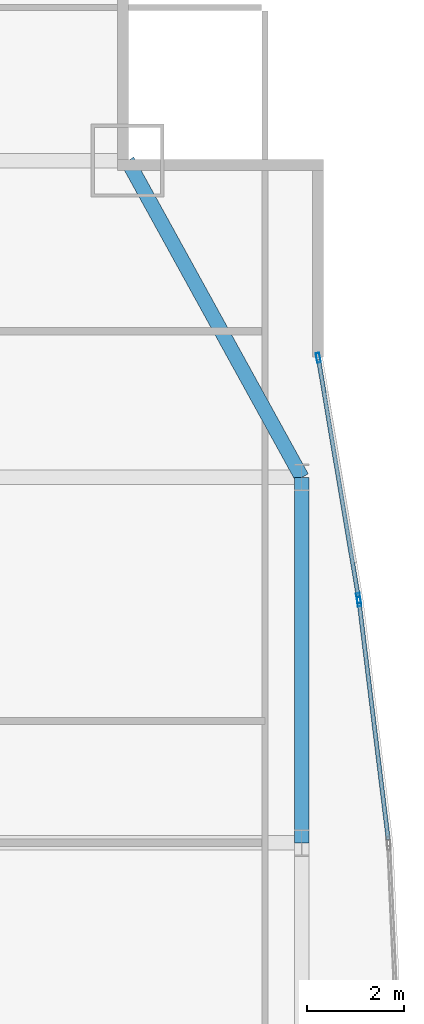
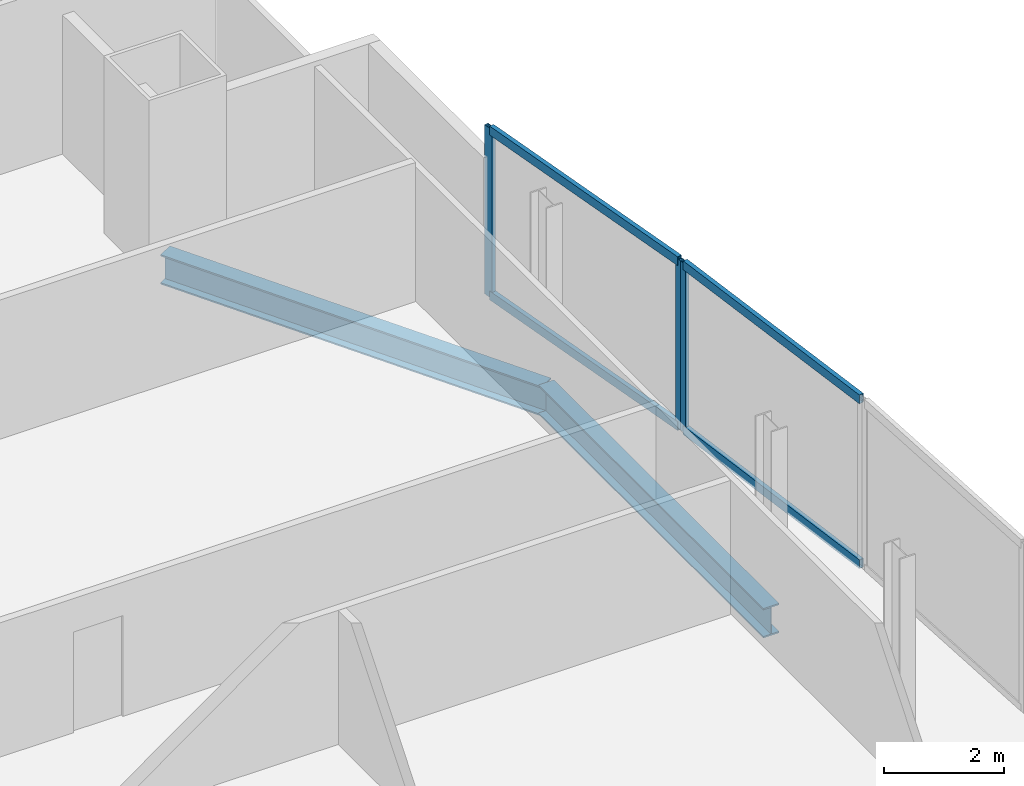
# One storey, part 23 of 31: 7 members, 2 beams, 2 elements without a shape of their own.
"""IFC4 building model written with IfcOpenShell, lengths in metres."""

import ifcopenshell
import ifcopenshell.guid

model = None  # the IFC model being written
_history = None  # IfcOwnerHistory: only IFC2X3 demands one
_inside = {}  # id of a spatial element -> (the spatial element, [elements in it])
_under = {}  # id of a project, library or spatial element -> (it, [spatial elements below it])
_declared = {}  # id of a project -> (the project, [libraries it declares])
_typed = {}  # id of a type object -> (the type object, [elements of that type])
_made_of = {}  # id of a material, layer set ... -> (it, [elements and type objects made of it])


def new_model(schema):
    """Start an empty IFC model of exactly this schema.

    Asked for "IFC4X3", IfcOpenShell would pick the latest addendum, in which some entities
    have other attributes; the version numbers below select the first issue.
    IFC2X3 requires an IfcOwnerHistory on every rooted entity: one is made here for all.
    """
    global model, _history
    if schema == "IFC4X3":
        model = ifcopenshell.file(schema_version=(4, 3, 0, 0))
    else:
        model = ifcopenshell.file(schema=schema)
    _inside.clear()
    _under.clear()
    _declared.clear()
    _typed.clear()
    _made_of.clear()
    _history = None
    if model.schema == "IFC2X3":
        org = make("IfcOrganization", Name="unknown")
        user = make(
            "IfcPersonAndOrganization",
            ThePerson=make("IfcPerson", FamilyName="unknown"),
            TheOrganization=org,
        )
        app = make(
            "IfcApplication",
            ApplicationDeveloper=org,
            Version="unknown",
            ApplicationFullName="unknown",
            ApplicationIdentifier="unknown",
        )
        _history = make(
            "IfcOwnerHistory",
            OwningUser=user,
            OwningApplication=app,
            ChangeAction="ADDED",
            CreationDate=0,
        )
    return model


def make(cls, **values):
    """One entity of the class cls with the attributes given. An attribute that is None is left unset."""
    return model.create_entity(
        cls, **{name: value for name, value in values.items() if value is not None}
    )


def rooted(cls, **values):
    """An entity with a GlobalId (a new one), such as an element, a storey or a relation."""
    return make(cls, GlobalId=ifcopenshell.guid.new(), OwnerHistory=_history, **values)


def si_unit(unit_type, name, prefix=None):
    """IfcSIUnit, for example si_unit("LENGTHUNIT", "METRE", prefix="MILLI")."""
    return make("IfcSIUnit", UnitType=unit_type, Prefix=prefix, Name=name)


def assignment(units):
    """IfcUnitAssignment: the units of a project."""
    return None if units is None else make("IfcUnitAssignment", Units=units)


def point(xyz):
    """IfcCartesianPoint."""
    return None if xyz is None else make("IfcCartesianPoint", Coordinates=xyz)


def direction(xyz):
    """IfcDirection."""
    return None if xyz is None else make("IfcDirection", DirectionRatios=xyz)


def frame(location, z_axis=None, x_axis=None):
    """IfcAxis2Placement3D, a coordinate frame: its origin and axes. An axis left out is left unset."""
    return make(
        "IfcAxis2Placement3D",
        Location=point(location),
        Axis=direction(z_axis),
        RefDirection=direction(x_axis),
    )


def frame_2d(location, x_axis=None):
    """IfcAxis2Placement2D, a coordinate frame in the plane: its origin and x axis."""
    return make(
        "IfcAxis2Placement2D", Location=point(location), RefDirection=direction(x_axis)
    )


def origin():
    """The frame at (0, 0, 0) with its axes left unset."""
    return frame((0.0, 0.0, 0.0))


def origin_2d():
    """The frame at (0, 0) in the plane with its x axis left unset."""
    return frame_2d((0.0, 0.0))


def place(relative_to, where):
    """IfcLocalPlacement: puts the frame where relative to a parent placement (None: the world)."""
    return make(
        "IfcLocalPlacement", PlacementRelTo=relative_to, RelativePlacement=where
    )


def context(
    kind, dimensions, precision=None, world=None, true_north=None, identifier=None
):
    """IfcGeometricRepresentationContext, for example the 3D "Model" context."""
    return make(
        "IfcGeometricRepresentationContext",
        ContextIdentifier=identifier,
        ContextType=kind,
        CoordinateSpaceDimension=dimensions,
        Precision=precision,
        WorldCoordinateSystem=world,
        TrueNorth=true_north,
    )


def subcontext(parent, identifier, kind, view, scale=None):
    """IfcGeometricRepresentationSubContext, for example "Body" below "Model"."""
    return make(
        "IfcGeometricRepresentationSubContext",
        ContextIdentifier=identifier,
        ContextType=kind,
        ParentContext=parent,
        TargetScale=scale,
        TargetView=view,
    )


def project(units=None, contexts=None):
    """IfcProject with its units and contexts."""
    return rooted(
        "IfcProject",
        Name="project",
        RepresentationContexts=contexts,
        UnitsInContext=assignment(units),
    )


def spatial(cls, under=None, at=None, **own):
    """A site, building, storey or space (cls), placed at a placement, below another one or the project."""
    s = rooted(cls, ObjectPlacement=at, **own)
    if under is not None:
        _under.setdefault(under.id(), (under, []))[1].append(s)
    return s


def profile(cls, at=None, kind="AREA", **sizes):
    """A parametric profile (cls). Its sizes go by their IFC names, for example OverallWidth=200.0."""
    return make(cls, ProfileType=kind, Position=at, **sizes)


def hollow_rectangle(**sizes):
    """IfcRectangleHollowProfileDef."""
    return profile("IfcRectangleHollowProfileDef", **sizes)


def i_section(**sizes):
    """IfcIShapeProfileDef."""
    return profile("IfcIShapeProfileDef", **sizes)


def extrude(swept, where, along, depth):
    """IfcExtrudedAreaSolid: the profile swept, set in the frame where, extruded along a direction by depth."""
    return make(
        "IfcExtrudedAreaSolid",
        SweptArea=swept,
        Position=where,
        ExtrudedDirection=direction(along),
        Depth=depth,
    )


def shape(context_of_items, identifier, shape_type, items):
    """IfcShapeRepresentation: the items that make up one representation, for example the "Body"."""
    return make(
        "IfcShapeRepresentation",
        ContextOfItems=context_of_items,
        RepresentationIdentifier=identifier,
        RepresentationType=shape_type,
        Items=items,
    )


def material(Name=None, Category=None):
    """IfcMaterial."""
    return make("IfcMaterial", Name=Name, Category=Category)


def material_profile(
    of_material, cross_section, Name=None, Category=None, Priority=None
):
    """IfcMaterialProfile: a cross section and its material."""
    return make(
        "IfcMaterialProfile",
        Name=Name,
        Material=of_material,
        Profile=cross_section,
        Priority=Priority,
        Category=Category,
    )


def profile_set(profiles, Name=None, composite=None):
    """IfcMaterialProfileSet."""
    return make(
        "IfcMaterialProfileSet",
        Name=Name,
        MaterialProfiles=profiles,
        CompositeProfile=composite,
    )


def made_of(thing, what):
    """Note that an element or type object is made of a material, layer set ...; save() writes the relation."""
    if what is not None:
        _made_of.setdefault(what.id(), (what, []))[1].append(thing)
    return thing


def type_object(cls, material=None, **own):
    """A type object (cls), such as IfcWallType, which elements share."""
    return made_of(rooted(cls, **own), material)


def element(
    cls,
    number,
    at=None,
    inside=None,
    cuts=None,
    type_object=None,
    material=None,
    context=None,
    identifier="Body",
    shape_type=None,
    held_by="IfcProductDefinitionShape",
    body=None,
    shapes=None,
    **own,
):
    """One element of the class cls, such as IfcWall. Its Tag is "e" and its number.

    at: its placement. inside: the storey or other place that contains it. cuts: it is an
    opening in that element (IfcRelVoidsElement). A single representation is given by context,
    identifier, shape_type and body (its items); several are given by shapes. held_by: the class
    of the entity that holds the representations. save() writes the other relations.
    """
    e = rooted(cls, Tag="e%d" % number, ObjectPlacement=at, **own)
    if body is not None:
        shapes = [shape(context, identifier, shape_type, body)]
    if shapes is not None:
        e.Representation = make(held_by, Representations=shapes)
    if inside is not None:
        _inside.setdefault(inside.id(), (inside, []))[1].append(e)
    if cuts is not None:
        rooted(
            "IfcRelVoidsElement", RelatingBuildingElement=cuts, RelatedOpeningElement=e
        )
    if type_object is not None:
        _typed.setdefault(type_object.id(), (type_object, []))[1].append(e)
    return made_of(e, material)


def aggregate(whole, parts):
    """IfcRelAggregates: a whole, such as a stair, and the parts it consists of."""
    return rooted("IfcRelAggregates", RelatingObject=whole, RelatedObjects=parts)


def save(model, path):
    """Write the relations noted so far, then the file.

    IfcRelAggregates (storeys below a building ...), IfcRelContainedInSpatialStructure (elements
    in a storey), IfcRelDefinesByType, IfcRelAssociatesMaterial and IfcRelDeclares: one each for
    every whole, place, type object, material and project.
    """
    for whole, parts in _under.values():
        aggregate(whole, parts)
    for where, things in _inside.values():
        rooted(
            "IfcRelContainedInSpatialStructure",
            RelatedElements=things,
            RelatingStructure=where,
        )
    for kind, things in _typed.values():
        rooted("IfcRelDefinesByType", RelatedObjects=things, RelatingType=kind)
    for what, things in _made_of.values():
        rooted("IfcRelAssociatesMaterial", RelatedObjects=things, RelatingMaterial=what)
    for by, libraries in _declared.values():
        rooted("IfcRelDeclares", RelatingContext=by, RelatedDefinitions=libraries)
    model.write(path)


model = new_model("IFC4")

# Units and contexts
model_context = context("Model", 3, precision=1e-05, world=origin(), true_north=direction((0.0, 1.0)))
body_context = subcontext(model_context, "Body", "Model", "MODEL_VIEW")
ifc_project = project(units=[si_unit("LENGTHUNIT", "METRE"), si_unit("AREAUNIT", "SQUARE_METRE"), si_unit("VOLUMEUNIT", "CUBIC_METRE"), si_unit("PLANEANGLEUNIT", "RADIAN"), si_unit("MASSUNIT", "GRAM", prefix="KILO")], contexts=[model_context])

# Site, building, storey
site_placement = place(None, origin())
site = spatial("IfcSite", under=ifc_project, at=site_placement, CompositionType="ELEMENT")
building_placement = place(site_placement, origin())
building = spatial("IfcBuilding", under=site, at=building_placement, Name="Khoronbel Lancet Exchange", CompositionType="ELEMENT")
storey_placement = place(building_placement, frame((0.0, 0.0, 121.800048828125)))
storey = spatial("IfcBuildingStorey", under=building, at=storey_placement, Name="L29", CompositionType="ELEMENT", Elevation=121.800048828125)

# Beams
ifc_material_1 = material(Name="Steel S355", Category="steel")
ifc_material_profile_1 = material_profile(ifc_material_1, i_section(OverallWidth=0.300048828125, OverallDepth=0.60009765625, WebThickness=0.015380859375, FlangeThickness=0.030029296875, at=origin_2d()), Name="HEB 600")
ifc_profile_set_1 = profile_set([ifc_material_profile_1], Name="Steel S355")
beam_type = type_object("IfcBeamType", Name="BM-BSP2", PredefinedType="SPANDREL", material=ifc_profile_set_1)
beam_1_placement = place(storey_placement, frame((69.6298828125, 35.699951171875, -0.4599609375), z_axis=(0.0, 1.0, 0.0), x_axis=(-1.0, 0.0, 0.0)))
element("IfcBeam", 1, at=beam_1_placement, inside=storey, type_object=beam_type, Name="Level L29 perimeter spandrel beam SP14", PredefinedType="SPANDREL", context=body_context, shape_type="SweptSolid", body=[
    extrude(i_section(OverallWidth=0.300048828125, OverallDepth=0.60009765625, WebThickness=0.015380859375, FlangeThickness=0.030029296875, at=origin_2d()), origin(), (0.0, 0.0, 1.0), 7.5),
])
beam_2_placement = place(storey_placement, frame((69.6298828125, 43.199951171875, -0.4599609375), z_axis=(-0.482418808117, 0.875940690672, 0.0), x_axis=(-0.875940690672, -0.482418808117, 0.0)))
element("IfcBeam", 2, at=beam_2_placement, inside=storey, type_object=beam_type, Name="Level L29 perimeter spandrel beam SP15", PredefinedType="SPANDREL", context=body_context, shape_type="SweptSolid", body=[
    extrude(i_section(OverallWidth=0.300048828125, OverallDepth=0.60009765625, WebThickness=0.015380859375, FlangeThickness=0.030029296875, at=origin_2d()), origin(), (0.0, 0.0, 1.0), 7.420654296875),
])

# Curtain wall, members
ifc_material_2 = material(Name="Low-E Solar Control Insulating Glass", Category="glass")
curtain_wall_type = type_object("IfcCurtainWallType", Name="CW-4", PredefinedType="NOTDEFINED", material=ifc_material_2)
curtain_wall_1_placement = place(storey_placement, origin())
curtain_wall_1 = element("IfcCurtainWall", 3, at=curtain_wall_1_placement, inside=storey, type_object=curtain_wall_type, Name="Unitised curtain wall CW-L29-E17", PredefinedType="NOTDEFINED")
ifc_material_3 = material(Name="Bronze-Anodised Aluminium 6063-T6", Category="aluminium")
ifc_material_profile_2 = material_profile(ifc_material_3, hollow_rectangle(XDim=0.074951171875, YDim=0.199951171875, WallThickness=0.0048828125, at=origin_2d()), Name="ALU MULLION 75x200")
ifc_profile_set_2 = profile_set([ifc_material_profile_2], Name="Bronze-Anodised Aluminium 6063-T6")
member_type_1 = type_object("IfcMemberType", Name="MEM-CWM2", PredefinedType="MULLION", material=ifc_profile_set_2)
member_1_placement = place(storey_placement, frame((69.96630859375, 45.655517578125, 0.0), z_axis=(0.0, 0.0, 1.0), x_axis=(0.986244409726, 0.165293570002, 0.0)))
member_1 = element("IfcMember", 4, at=member_1_placement, type_object=member_type_1, Name="CW4 mullion 1", PredefinedType="MULLION", context=body_context, shape_type="SweptSolid", body=[
    extrude(hollow_rectangle(XDim=0.074951171875, YDim=0.199951171875, WallThickness=0.0048828125, at=origin_2d()), origin(), (0.0, 0.0, 1.0), 3.43994140625),
])
member_2_placement = place(storey_placement, frame((70.792724609375, 40.72412109375, 0.0), z_axis=(0.0, 0.0, 1.0), x_axis=(0.986244409726, 0.165293570002, 0.0)))
member_2 = element("IfcMember", 5, at=member_2_placement, type_object=member_type_1, Name="CW4 mullion 2", PredefinedType="MULLION", context=body_context, shape_type="SweptSolid", body=[
    extrude(hollow_rectangle(XDim=0.074951171875, YDim=0.199951171875, WallThickness=0.0048828125, at=origin_2d()), origin(), (0.0, 0.0, 1.0), 3.43994140625),
])

# Curtain wall, member
curtain_wall_2_placement = place(storey_placement, origin())
curtain_wall_2 = element("IfcCurtainWall", 6, at=curtain_wall_2_placement, inside=storey, type_object=curtain_wall_type, Name="Unitised curtain wall CW-L29-E18", PredefinedType="NOTDEFINED")
member_3_placement = place(storey_placement, frame((70.803466796875, 40.64990234375, 0.0), z_axis=(0.0, 0.0, 1.0), x_axis=(0.992557199503, 0.121779332051, 0.0)))
member_3 = element("IfcMember", 7, at=member_3_placement, type_object=member_type_1, Name="CW4 mullion 1", PredefinedType="MULLION", context=body_context, shape_type="SweptSolid", body=[
    extrude(hollow_rectangle(XDim=0.074951171875, YDim=0.199951171875, WallThickness=0.0048828125, at=origin_2d()), origin(), (0.0, 0.0, 1.0), 3.43994140625),
])

# Member
ifc_material_profile_3 = material_profile(ifc_material_3, hollow_rectangle(XDim=0.0849609375, YDim=0.179931640625, WallThickness=0.0048828125, at=origin_2d()), Name="ALU TRANSOM 85x180")
ifc_profile_set_3 = profile_set([ifc_material_profile_3], Name="Bronze-Anodised Aluminium 6063-T6")
member_type_2 = type_object("IfcMemberType", Name="MEM-CWT1", PredefinedType="USERDEFINED", material=ifc_profile_set_3)
member_4_placement = place(storey_placement, frame((69.972412109375, 45.61865234375, 0.04248046875), z_axis=(0.165307206322, -0.986242124196, 0.0), x_axis=(0.986242124196, 0.165307206322, 0.0)))
member_4 = element("IfcMember", 8, at=member_4_placement, type_object=member_type_2, Name="CW4 transom 1.1", ObjectType="TRANSOM", PredefinedType="USERDEFINED", context=body_context, shape_type="SweptSolid", body=[
    extrude(hollow_rectangle(XDim=0.0849609375, YDim=0.179931640625, WallThickness=0.0048828125, at=origin_2d()), origin(), (0.0, 0.0, 1.0), 4.925537109375),
])

member_5_placement = place(storey_placement, frame((69.972412109375, 45.61865234375, 3.3974609375), z_axis=(0.165307206322, -0.986242124196, 0.0), x_axis=(0.986242124196, 0.165307206322, 0.0)))
member_5 = element("IfcMember", 9, at=member_5_placement, type_object=member_type_2, Name="CW4 transom 1.2", ObjectType="TRANSOM", PredefinedType="USERDEFINED", context=body_context, shape_type="SweptSolid", body=[
    extrude(hollow_rectangle(XDim=0.0849609375, YDim=0.179931640625, WallThickness=0.0048828125, at=origin_2d()), origin(), (0.0, 0.0, 1.0), 4.925537109375),
])

aggregate(curtain_wall_1, [member_1, member_2, member_4, member_5])

member_6_placement = place(storey_placement, frame((70.80810546875, 40.612548828125, 0.04248046875), z_axis=(0.121769434583, -0.992558413798, 0.0), x_axis=(0.992558413798, 0.121769434583, 0.0)))
member_6 = element("IfcMember", 10, at=member_6_placement, type_object=member_type_2, Name="CW4 transom 1.1", ObjectType="TRANSOM", PredefinedType="USERDEFINED", context=body_context, shape_type="SweptSolid", body=[
    extrude(hollow_rectangle(XDim=0.0849609375, YDim=0.179931640625, WallThickness=0.0048828125, at=origin_2d()), origin(), (0.0, 0.0, 1.0), 4.882080078125),
])

member_7_placement = place(storey_placement, frame((70.80810546875, 40.612548828125, 3.3974609375), z_axis=(0.121769434583, -0.992558413798, 0.0), x_axis=(0.992558413798, 0.121769434583, 0.0)))
member_7 = element("IfcMember", 11, at=member_7_placement, type_object=member_type_2, Name="CW4 transom 1.2", ObjectType="TRANSOM", PredefinedType="USERDEFINED", context=body_context, shape_type="SweptSolid", body=[
    extrude(hollow_rectangle(XDim=0.0849609375, YDim=0.179931640625, WallThickness=0.0048828125, at=origin_2d()), origin(), (0.0, 0.0, 1.0), 4.882080078125),
])

aggregate(curtain_wall_2, [member_3, member_6, member_7])

save(model, "model.ifc")
